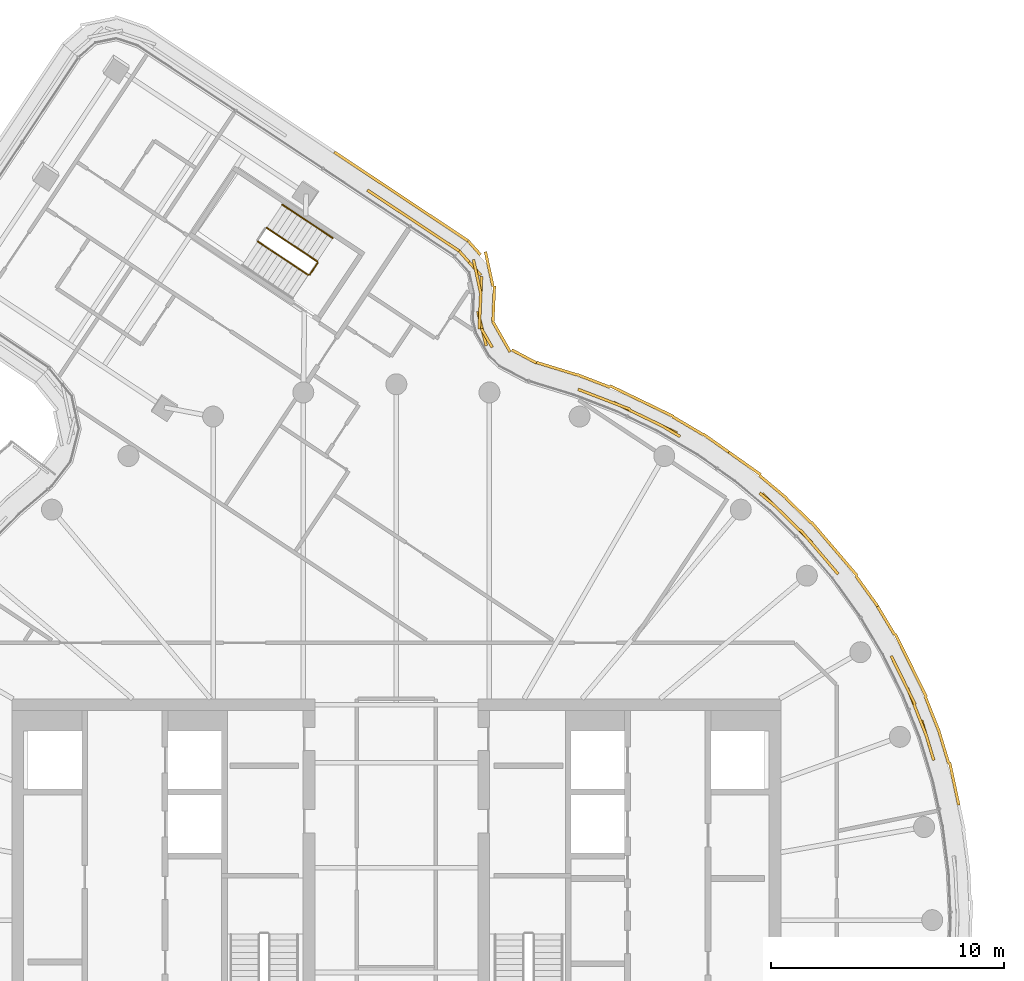
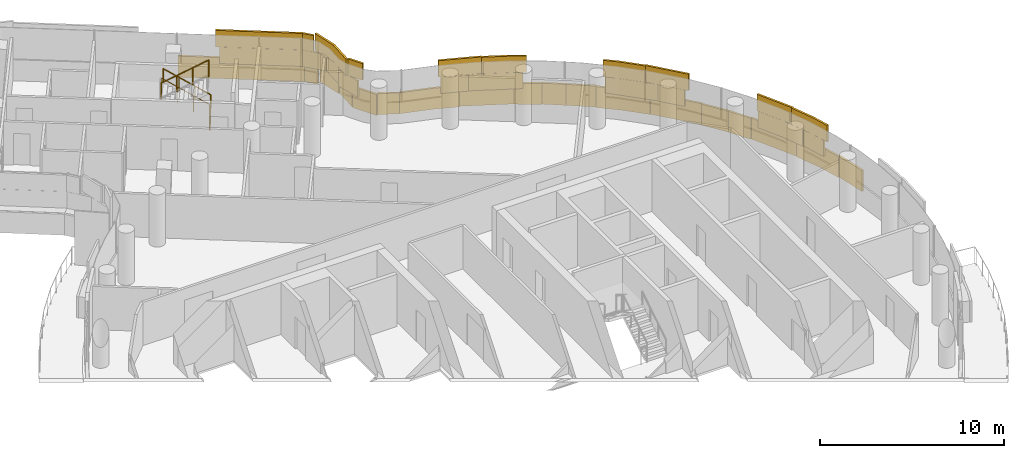
# One storey, part 26 of 27: 5 coverings, 4 railings.
"""IFC4 building model written with IfcOpenShell, lengths in metres."""

from ifc_helpers import new_model, si_unit, direction, frame, origin, origin_2d, place, context, subcontext, project, spatial, rectangle, circle, extrude, material, layer, layer_set, type_object, element, save


model = new_model("IFC4")

# Units and contexts
model_context = context("Model", 3, precision=1e-05, world=origin(), true_north=direction((0.0, 1.0)))
body_context = subcontext(model_context, "Body", "Model", "MODEL_VIEW")
ifc_project = project(units=[si_unit("LENGTHUNIT", "METRE"), si_unit("AREAUNIT", "SQUARE_METRE"), si_unit("VOLUMEUNIT", "CUBIC_METRE"), si_unit("PLANEANGLEUNIT", "RADIAN"), si_unit("MASSUNIT", "GRAM", prefix="KILO")], contexts=[model_context])

# Site, building, storey
site_placement = place(None, origin())
site = spatial("IfcSite", under=ifc_project, at=site_placement, CompositionType="ELEMENT")
building_placement = place(site_placement, origin())
building = spatial("IfcBuilding", under=site, at=building_placement, Name="Tamarind Cross Interchange Tower", CompositionType="ELEMENT")
storey_placement = place(building_placement, frame((0.0, 0.0, 237.89990234375)))
storey = spatial("IfcBuildingStorey", under=building, at=storey_placement, Name="L60", CompositionType="ELEMENT", Elevation=237.89990234375)

# Railings
ifc_material_1 = material(Name="Stair guard")
railing_type_1 = type_object("IfcRailingType", Name="Stair guard", PredefinedType="GUARDRAIL", material=ifc_material_1)
railing_1_placement = place(storey_placement, frame((-3.395751953125, 28.275634765625, 0.163818359375)))
element("IfcRailing", 1, at=railing_1_placement, inside=storey, type_object=railing_type_1, Name="L60 ST4 stair guard 1", PredefinedType="GUARDRAIL", context=body_context, shape_type="SweptSolid", body=[
    extrude(circle(Radius=0.02392578125, at=origin_2d()), frame((0.0, 0.0, 1.076171875), z_axis=(-0.705101885414, 0.468107541151, 0.532641212359), x_axis=(-0.553095571714, -0.833117811927, 0.0)), (0.0, 0.0, 1.0), 3.072021484375),
    extrude(circle(Radius=0.02099609375, at=origin_2d()), origin(), (0.0, 0.0, 1.0), 1.052001953125),
    extrude(circle(Radius=0.02099609375, at=origin_2d()), frame((-0.721923828125, 0.479248046875, 0.54541015625)), (0.0, 0.0, 1.0), 1.052001953125),
    extrude(circle(Radius=0.02099609375, at=origin_2d()), frame((-1.444091796875, 0.958740234375, 1.0908203125)), (0.0, 0.0, 1.0), 1.052001953125),
    extrude(circle(Radius=0.02099609375, at=origin_2d()), frame((-2.166015625, 1.43798828125, 1.63623046875)), (0.0, 0.0, 1.0), 1.052001953125),
])
railing_2_placement = place(storey_placement, frame((-5.948974609375, 29.13037109375, 1.963623046875)))
element("IfcRailing", 2, at=railing_2_placement, inside=storey, type_object=railing_type_1, Name="L60 ST4 stair guard 3", PredefinedType="GUARDRAIL", context=body_context, shape_type="SweptSolid", body=[
    extrude(circle(Radius=0.02392578125, at=origin_2d()), frame((0.0, 0.0, 1.076171875), z_axis=(0.705111997759, -0.468061497442, 0.532668288176), x_axis=(0.553052303896, 0.833146535224, 0.0)), (0.0, 0.0, 1.0), 3.072265625),
    extrude(circle(Radius=0.02099609375, at=origin_2d()), origin(), (0.0, 0.0, 1.0), 1.052001953125),
    extrude(circle(Radius=0.02099609375, at=origin_2d()), frame((0.72216796875, -0.479248046875, 0.54541015625)), (0.0, 0.0, 1.0), 1.052001953125),
    extrude(circle(Radius=0.02099609375, at=origin_2d()), frame((1.444091796875, -0.958740234375, 1.091064453125)), (0.0, 0.0, 1.0), 1.052001953125),
    extrude(circle(Radius=0.02099609375, at=origin_2d()), frame((2.166259765625, -1.43798828125, 1.636474609375)), (0.0, 0.0, 1.0), 1.052001953125),
])
railing_3_placement = place(storey_placement, frame((-3.381591796875, 28.206298828125, 0.0)))
element("IfcRailing", 3, at=railing_3_placement, inside=storey, type_object=railing_type_1, Name="L60 ST4 stair guard 4", PredefinedType="GUARDRAIL", context=body_context, shape_type="SweptSolid", body=[
    extrude(circle(Radius=0.02392578125, at=origin_2d()), frame((0.0, 0.0, 1.076171875), z_axis=(-0.553197399168, -0.8330502011, 0.0), x_axis=(0.8330502011, -0.553197399168, 0.0)), (0.0, 0.0, 1.0), 0.60009765625),
    extrude(circle(Radius=0.02099609375, at=origin_2d()), origin(), (0.0, 0.0, 1.0), 1.052001953125),
    extrude(circle(Radius=0.02099609375, at=origin_2d()), frame((-0.33203125, -0.5, 0.0)), (0.0, 0.0, 1.0), 1.052001953125),
])
ifc_material_2 = material(Name="Stair handrail")
railing_type_2 = type_object("IfcRailingType", Name="Stair handrail", PredefinedType="HANDRAIL", material=ifc_material_2)
railing_4_placement = place(storey_placement, frame((-2.73193359375, 29.275146484375, 0.163818359375)))
element("IfcRailing", 4, at=railing_4_placement, inside=storey, type_object=railing_type_2, Name="L60 ST4 stair handrail 1", PredefinedType="HANDRAIL", context=body_context, shape_type="SweptSolid", body=[
    extrude(circle(Radius=0.02392578125, at=origin_2d()), frame((0.0, 0.0, 0.8759765625), z_axis=(-0.705075652866, 0.468169597727, 0.532621396022), x_axis=(-0.553160744141, -0.833074541168, 0.0)), (0.0, 0.0, 1.0), 3.072021484375),
    extrude(circle(Radius=0.02099609375, at=origin_2d()), origin(), (0.0, 0.0, 1.0), 0.851806640625),
    extrude(circle(Radius=0.02099609375, at=origin_2d()), frame((-0.721923828125, 0.4794921875, 0.54541015625)), (0.0, 0.0, 1.0), 0.851806640625),
    extrude(circle(Radius=0.02099609375, at=origin_2d()), frame((-1.444091796875, 0.958740234375, 1.0908203125)), (0.0, 0.0, 1.0), 0.851806640625),
    extrude(circle(Radius=0.02099609375, at=origin_2d()), frame((-2.166015625, 1.438232421875, 1.63623046875)), (0.0, 0.0, 1.0), 0.851806640625),
])

# Coverings
ifc_material_3 = material(Name="Terracotta", Category="masonry")
ifc_layer = layer(ifc_material_3, 0.1201171875)
ifc_layer_set = layer_set([ifc_layer], Name="Terracotta")
covering_type = type_object("IfcCoveringType", Name="Terracotta baguette screen unit", PredefinedType="MOLDING", material=ifc_layer_set)
covering_1_placement = place(storey_placement, origin())
element("IfcCovering", 5, at=covering_1_placement, inside=storey, type_object=covering_type, Name="SCR-L60-02-07", PredefinedType="MOLDING", context=body_context, shape_type="SweptSolid", body=[
    extrude(rectangle(XDim=1.52001953125, YDim=0.1201171875, at=origin_2d()), frame((22.767578125, 7.851318359375, 1.404296875), z_axis=(0.0, 0.0, 1.0), x_axis=(-0.289458243079, 0.957190642199, 0.0)), (0.0, 0.0, 1.0), 1.092041015625),
    extrude(rectangle(XDim=1.52001953125, YDim=0.1201171875, at=origin_2d()), frame((22.2216796875, 9.248291015625, 1.404296875), z_axis=(0.0, 0.0, 1.0), x_axis=(-0.367513773146, 0.930018078613, 0.0)), (0.0, 0.0, 1.0), 1.092041015625),
    extrude(rectangle(XDim=1.52001953125, YDim=0.1201171875, at=origin_2d()), frame((21.599365234375, 10.61181640625, 1.404296875), z_axis=(0.0, 0.0, 1.0), x_axis=(-0.443058811505, 0.896492548518, 0.0)), (0.0, 0.0, 1.0), 1.092041015625),
    extrude(rectangle(XDim=1.04248046875, YDim=0.1201171875, at=origin_2d()), frame((22.9169921875, 7.357421875, 2.50390625), z_axis=(0.0, 0.0, 1.0), x_axis=(-0.289458243079, 0.957190642199, 0.0)), (0.0, 0.0, 1.0), 1.092041015625),
    extrude(rectangle(XDim=1.52001953125, YDim=0.1201171875, at=origin_2d()), frame((22.497314453125, 8.55078125, 2.50390625), z_axis=(0.0, 0.0, 1.0), x_axis=(-0.367513773146, 0.930018078613, 0.0)), (0.0, 0.0, 1.0), 1.092041015625),
    extrude(rectangle(XDim=1.52001953125, YDim=0.1201171875, at=origin_2d()), frame((21.931640625, 9.939453125, 2.50390625), z_axis=(0.0, 0.0, 1.0), x_axis=(-0.443058811505, 0.896492548518, 0.0)), (0.0, 0.0, 1.0), 1.092041015625),
    extrude(rectangle(XDim=0.82080078125, YDim=0.1201171875, at=origin_2d()), frame((21.419921875, 10.975341796875, 2.50390625), z_axis=(0.0, 0.0, 1.0), x_axis=(-0.443058811505, 0.896492548518, 0.0)), (0.0, 0.0, 1.0), 1.092041015625),
    extrude(rectangle(XDim=0.364990234375, YDim=0.1201171875, at=origin_2d()), frame((24.101318359375, 5.12158203125, 0.004150390625), z_axis=(0.0, 0.0, 1.0), x_axis=(-0.209425419705, 0.977824623121, 0.0)), (0.0, 0.0, 1.0), 1.39208984375),
    extrude(rectangle(XDim=1.52001953125, YDim=0.1201171875, at=origin_2d()), frame((23.908203125, 6.023681640625, 0.004150390625), z_axis=(0.0, 0.0, 1.0), x_axis=(-0.209425419705, 0.977824623121, 0.0)), (0.0, 0.0, 1.0), 1.39208984375),
    extrude(rectangle(XDim=1.52001953125, YDim=0.1201171875, at=origin_2d()), frame((23.48486328125, 7.46240234375, 0.004150390625), z_axis=(0.0, 0.0, 1.0), x_axis=(-0.289458243079, 0.957190642199, 0.0)), (0.0, 0.0, 1.0), 1.39208984375),
    extrude(rectangle(XDim=1.52001953125, YDim=0.1201171875, at=origin_2d()), frame((22.986083984375, 8.875732421875, 0.004150390625), z_axis=(0.0, 0.0, 1.0), x_axis=(-0.367513773146, 0.930018078613, 0.0)), (0.0, 0.0, 1.0), 1.39208984375),
    extrude(rectangle(XDim=1.52001953125, YDim=0.1201171875, at=origin_2d()), frame((22.4130859375, 10.260986328125, 0.004150390625), z_axis=(0.0, 0.0, 1.0), x_axis=(-0.443058811505, 0.896492548518, 0.0)), (0.0, 0.0, 1.0), 1.39208984375),
    extrude(rectangle(XDim=1.52001953125, YDim=0.1201171875, at=origin_2d()), frame((21.74853515625, 11.605712890625, 0.004150390625), z_axis=(0.0, 0.0, 1.0), x_axis=(-0.443058811505, 0.896492548518, 0.0)), (0.0, 0.0, 1.0), 1.39208984375),
    extrude(rectangle(XDim=1.4140625, YDim=0.1201171875, at=origin_2d()), frame((21.020751953125, 12.85546875, 0.004150390625), z_axis=(0.0, 0.0, 1.0), x_axis=(-0.515577308909, 0.856843065292, 0.0)), (0.0, 0.0, 1.0), 1.39208984375),
])
covering_2_placement = place(storey_placement, origin())
element("IfcCovering", 6, at=covering_2_placement, inside=storey, type_object=covering_type, Name="SCR-L60-02-08", PredefinedType="MOLDING", context=body_context, shape_type="SweptSolid", body=[
    extrude(rectangle(XDim=1.52001953125, YDim=0.1201171875, at=origin_2d()), frame((18.3154296875, 15.610595703125, 1.404296875), z_axis=(0.0, 0.0, 1.0), x_axis=(-0.64957723968, 0.760295606781, 0.0)), (0.0, 0.0, 1.0), 1.092041015625),
    extrude(rectangle(XDim=1.52001953125, YDim=0.1201171875, at=origin_2d()), frame((17.312255859375, 16.724365234375, 1.404296875), z_axis=(0.0, 0.0, 1.0), x_axis=(-0.710143317658, 0.704057148523, 0.0)), (0.0, 0.0, 1.0), 1.092041015625),
    extrude(rectangle(XDim=1.52001953125, YDim=0.1201171875, at=origin_2d()), frame((16.246826171875, 17.780517578125, 1.404296875), z_axis=(0.0, 0.0, 1.0), x_axis=(-0.710143317658, 0.704057148523, 0.0)), (0.0, 0.0, 1.0), 1.092041015625),
    extrude(rectangle(XDim=0.9990234375, YDim=0.1201171875, at=origin_2d()), frame((18.63671875, 15.234619140625, 2.50390625), z_axis=(0.0, 0.0, 1.0), x_axis=(-0.64957723968, 0.760295606781, 0.0)), (0.0, 0.0, 1.0), 1.092041015625),
    extrude(rectangle(XDim=1.52001953125, YDim=0.1201171875, at=origin_2d()), frame((17.828125, 16.180908203125, 2.50390625), z_axis=(0.0, 0.0, 1.0), x_axis=(-0.64957723968, 0.760295606781, 0.0)), (0.0, 0.0, 1.0), 1.092041015625),
    extrude(rectangle(XDim=1.52001953125, YDim=0.1201171875, at=origin_2d()), frame((16.779541015625, 17.25244140625, 2.50390625), z_axis=(0.0, 0.0, 1.0), x_axis=(-0.710143317658, 0.704057148523, 0.0)), (0.0, 0.0, 1.0), 1.092041015625),
    extrude(rectangle(XDim=0.863525390625, YDim=0.1201171875, at=origin_2d()), frame((15.9208984375, 18.0556640625, 2.50390625), z_axis=(0.0, 0.0, 1.0), x_axis=(-0.765858396687, 0.643009266048, 0.0)), (0.0, 0.0, 1.0), 1.092041015625),
    extrude(rectangle(XDim=0.10595703125, YDim=0.1201171875, at=origin_2d()), frame((20.62890625, 13.5068359375, 0.004150390625), z_axis=(0.0, 0.0, 1.0), x_axis=(-0.515577308909, 0.856843065292, 0.0)), (0.0, 0.0, 1.0), 1.39208984375),
    extrude(rectangle(XDim=1.52001953125, YDim=0.1201171875, at=origin_2d()), frame((20.1708984375, 14.15380859375, 0.004150390625), z_axis=(0.0, 0.0, 1.0), x_axis=(-0.584573890505, 0.811340475102, 0.0)), (0.0, 0.0, 1.0), 1.39208984375),
    extrude(rectangle(XDim=1.52001953125, YDim=0.1201171875, at=origin_2d()), frame((19.28271484375, 15.362060546875, 0.004150390625), z_axis=(0.0, 0.0, 1.0), x_axis=(-0.64957723968, 0.760295606781, 0.0)), (0.0, 0.0, 1.0), 1.39208984375),
    extrude(rectangle(XDim=1.52001953125, YDim=0.1201171875, at=origin_2d()), frame((18.308349609375, 16.50244140625, 0.004150390625), z_axis=(0.0, 0.0, 1.0), x_axis=(-0.64957723968, 0.760295606781, 0.0)), (0.0, 0.0, 1.0), 1.39208984375),
    extrude(rectangle(XDim=1.52001953125, YDim=0.1201171875, at=origin_2d()), frame((17.265380859375, 17.5791015625, 0.004150390625), z_axis=(0.0, 0.0, 1.0), x_axis=(-0.710143317658, 0.704057148523, 0.0)), (0.0, 0.0, 1.0), 1.39208984375),
    extrude(rectangle(XDim=1.52001953125, YDim=0.1201171875, at=origin_2d()), frame((16.166748046875, 18.598876953125, 0.004150390625), z_axis=(0.0, 0.0, 1.0), x_axis=(-0.765858396687, 0.643009266048, 0.0)), (0.0, 0.0, 1.0), 1.39208984375),
    extrude(rectangle(XDim=1.52001953125, YDim=0.1201171875, at=origin_2d()), frame((15.01513671875, 19.5595703125, 0.004150390625), z_axis=(0.0, 0.0, 1.0), x_axis=(-0.816341886298, 0.577568978284, 0.0)), (0.0, 0.0, 1.0), 1.39208984375),
    extrude(rectangle(XDim=0.17236328125, YDim=0.1201171875, at=origin_2d()), frame((14.340576171875, 20.03662109375, 0.004150390625), z_axis=(0.0, 0.0, 1.0), x_axis=(-0.816341886298, 0.577568978284, 0.0)), (0.0, 0.0, 1.0), 1.39208984375),
])
covering_3_placement = place(storey_placement, origin())
element("IfcCovering", 7, at=covering_3_placement, inside=storey, type_object=covering_type, Name="SCR-L60-02-09", PredefinedType="MOLDING", context=body_context, shape_type="SweptSolid", body=[
    extrude(rectangle(XDim=1.52001953125, YDim=0.1201171875, at=origin_2d()), frame((11.3603515625, 21.238037109375, 1.404296875), z_axis=(0.0, 0.0, 1.0), x_axis=(-0.900272776334, 0.435326231914, 0.0)), (0.0, 0.0, 1.0), 1.092041015625),
    extrude(rectangle(XDim=1.52001953125, YDim=0.1201171875, at=origin_2d()), frame((10.010009765625, 21.890869140625, 1.404296875), z_axis=(0.0, 0.0, 1.0), x_axis=(-0.900272776334, 0.435326231914, 0.0)), (0.0, 0.0, 1.0), 1.092041015625),
    extrude(rectangle(XDim=1.52001953125, YDim=0.1201171875, at=origin_2d()), frame((8.6259765625, 22.46630859375, 1.404296875), z_axis=(0.0, 0.0, 1.0), x_axis=(-0.933146843667, 0.359495435512, 0.0)), (0.0, 0.0, 1.0), 1.092041015625),
    extrude(rectangle(XDim=0.95654296875, YDim=0.1201171875, at=origin_2d()), frame((11.7685546875, 20.99853515625, 2.50390625), z_axis=(0.0, 0.0, 1.0), x_axis=(-0.861248933065, 0.508183308752, 0.0)), (0.0, 0.0, 1.0), 1.092041015625),
    extrude(rectangle(XDim=1.52001953125, YDim=0.1201171875, at=origin_2d()), frame((10.685302734375, 21.564453125, 2.50390625), z_axis=(0.0, 0.0, 1.0), x_axis=(-0.900272776334, 0.435326231914, 0.0)), (0.0, 0.0, 1.0), 1.092041015625),
    extrude(rectangle(XDim=1.52001953125, YDim=0.1201171875, at=origin_2d()), frame((9.325927734375, 22.19677734375, 2.50390625), z_axis=(0.0, 0.0, 1.0), x_axis=(-0.933146843667, 0.359495435512, 0.0)), (0.0, 0.0, 1.0), 1.092041015625),
    extrude(rectangle(XDim=0.893310546875, YDim=0.1201171875, at=origin_2d()), frame((8.2138671875, 22.625244140625, 2.50390625), z_axis=(0.0, 0.0, 1.0), x_axis=(-0.933146843667, 0.359495435512, 0.0)), (0.0, 0.0, 1.0), 1.092041015625),
    extrude(rectangle(XDim=1.34765625, YDim=0.1201171875, at=origin_2d()), frame((13.72021484375, 20.4755859375, 0.004150390625), z_axis=(0.0, 0.0, 1.0), x_axis=(-0.816341886298, 0.577568978284, 0.0)), (0.0, 0.0, 1.0), 1.39208984375),
    extrude(rectangle(XDim=1.52001953125, YDim=0.1201171875, at=origin_2d()), frame((12.520263671875, 21.221435546875, 0.004150390625), z_axis=(0.0, 0.0, 1.0), x_axis=(-0.861248933065, 0.508183308752, 0.0)), (0.0, 0.0, 1.0), 1.39208984375),
    extrude(rectangle(XDim=1.52001953125, YDim=0.1201171875, at=origin_2d()), frame((11.20947265625, 21.948486328125, 0.004150390625), z_axis=(0.0, 0.0, 1.0), x_axis=(-0.900272776334, 0.435326231914, 0.0)), (0.0, 0.0, 1.0), 1.39208984375),
    extrude(rectangle(XDim=1.52001953125, YDim=0.1201171875, at=origin_2d()), frame((9.859130859375, 22.6015625, 0.004150390625), z_axis=(0.0, 0.0, 1.0), x_axis=(-0.900272776334, 0.435326231914, 0.0)), (0.0, 0.0, 1.0), 1.39208984375),
    extrude(rectangle(XDim=1.52001953125, YDim=0.1201171875, at=origin_2d()), frame((8.461181640625, 23.14501953125, 0.004150390625), z_axis=(0.0, 0.0, 1.0), x_axis=(-0.933146843667, 0.359495435512, 0.0)), (0.0, 0.0, 1.0), 1.39208984375),
    extrude(rectangle(XDim=1.52001953125, YDim=0.1201171875, at=origin_2d()), frame((7.040771484375, 23.6240234375, 0.004150390625), z_axis=(0.0, 0.0, 1.0), x_axis=(-0.956010293883, 0.293333117786, 0.0)), (0.0, 0.0, 1.0), 1.39208984375),
    extrude(rectangle(XDim=0.3330078125, YDim=0.1201171875, at=origin_2d()), frame((6.174072265625, 23.889892578125, 0.004150390625), z_axis=(0.0, 0.0, 1.0), x_axis=(-0.956010293883, 0.293333117786, 0.0)), (0.0, 0.0, 1.0), 1.39208984375),
])
covering_4_placement = place(storey_placement, origin())
element("IfcCovering", 8, at=covering_4_placement, inside=storey, type_object=covering_type, Name="SCR-L60-02-10", PredefinedType="MOLDING", context=body_context, shape_type="SweptSolid", body=[
    extrude(rectangle(XDim=1.52001953125, YDim=0.1201171875, at=origin_2d()), frame((3.67919921875, 25.388916015625, 1.404296875), z_axis=(0.0, 0.0, 1.0), x_axis=(-0.23625193558, 0.971691835375, 0.0)), (0.0, 0.0, 1.0), 1.092041015625),
    extrude(rectangle(XDim=1.52001953125, YDim=0.1201171875, at=origin_2d()), frame((3.62255859375, 26.87548828125, 1.404296875), z_axis=(0.0, 0.0, 1.0), x_axis=(0.042881528628, 0.999080164202, 0.0)), (0.0, 0.0, 1.0), 1.092041015625),
    extrude(rectangle(XDim=1.39208984375, YDim=0.1201171875, at=origin_2d()), frame((3.16064453125, 28.201171875, 1.404296875), z_axis=(0.0, 0.0, 1.0), x_axis=(-0.665230080306, 0.74663842672, 0.0)), (0.0, 0.0, 1.0), 1.092041015625),
    extrude(rectangle(XDim=0.9267578125, YDim=0.1201171875, at=origin_2d()), frame((3.884521484375, 24.982177734375, 2.50390625), z_axis=(0.0, 0.0, 1.0), x_axis=(-0.496800496817, 0.867864774238, 0.0)), (0.0, 0.0, 1.0), 1.092041015625),
    extrude(rectangle(XDim=1.52001953125, YDim=0.1201171875, at=origin_2d()), frame((3.59033203125, 26.126220703125, 2.50390625), z_axis=(0.0, 0.0, 1.0), x_axis=(0.042881528628, 0.999080164202, 0.0)), (0.0, 0.0, 1.0), 1.092041015625),
    extrude(rectangle(XDim=1.52001953125, YDim=0.1201171875, at=origin_2d()), frame((3.470703125, 27.609130859375, 2.50390625), z_axis=(0.0, 0.0, 1.0), x_axis=(-0.212374439081, 0.977188363431, 0.0)), (0.0, 0.0, 1.0), 1.092041015625),
    extrude(rectangle(XDim=0.64208984375, YDim=0.1201171875, at=origin_2d()), frame((2.9111328125, 28.481201171875, 2.50390625), z_axis=(0.0, 0.0, 1.0), x_axis=(-0.665230080306, 0.74663842672, 0.0)), (0.0, 0.0, 1.0), 1.092041015625),
    extrude(rectangle(XDim=1.18701171875, YDim=0.1201171875, at=origin_2d()), frame((5.482421875, 24.19677734375, 0.004150390625), z_axis=(0.0, 0.0, 1.0), x_axis=(-0.883232402766, 0.468935520839, 0.0)), (0.0, 0.0, 1.0), 1.39208984375),
    extrude(rectangle(XDim=1.52001953125, YDim=0.1201171875, at=origin_2d()), frame((4.506591796875, 25.05078125, 0.004150390625), z_axis=(0.0, 0.0, 1.0), x_axis=(-0.496800496817, 0.867864774238, 0.0)), (0.0, 0.0, 1.0), 1.39208984375),
    extrude(rectangle(XDim=1.52001953125, YDim=0.1201171875, at=origin_2d()), frame((4.1796875, 26.46875, 0.004150390625), z_axis=(0.0, 0.0, 1.0), x_axis=(0.042881528628, 0.999080164202, 0.0)), (0.0, 0.0, 1.0), 1.39208984375),
    extrude(rectangle(XDim=1.52001953125, YDim=0.1201171875, at=origin_2d()), frame((3.985107421875, 27.945068359375, 0.004150390625), z_axis=(0.0, 0.0, 1.0), x_axis=(-0.212374439081, 0.977188363431, 0.0)), (0.0, 0.0, 1.0), 1.39208984375),
    extrude(rectangle(XDim=0.798583984375, YDim=0.1201171875, at=origin_2d()), frame((3.345703125, 28.856201171875, 0.004150390625), z_axis=(0.0, 0.0, 1.0), x_axis=(-0.665230080306, 0.74663842672, 0.0)), (0.0, 0.0, 1.0), 1.39208984375),
])
covering_5_placement = place(storey_placement, origin())
element("IfcCovering", 9, at=covering_5_placement, inside=storey, type_object=covering_type, Name="SCR-L60-03-00", PredefinedType="MOLDING", context=body_context, shape_type="SweptSolid", body=[
    extrude(rectangle(XDim=1.510009765625, YDim=0.1201171875, at=origin_2d()), frame((2.076171875, 29.132080078125, 1.404296875), z_axis=(0.0, 0.0, 1.0), x_axis=(-0.833106637229, 0.55311240359, 0.0)), (0.0, 0.0, 1.0), 1.092041015625),
    extrude(rectangle(XDim=1.52001953125, YDim=0.1201171875, at=origin_2d()), frame((0.826416015625, 29.961669921875, 1.404296875), z_axis=(0.0, 0.0, 1.0), x_axis=(-0.833106637229, 0.55311240359, 0.0)), (0.0, 0.0, 1.0), 1.092041015625),
    extrude(rectangle(XDim=1.52001953125, YDim=0.1201171875, at=origin_2d()), frame((-0.42333984375, 30.791259765625, 1.404296875), z_axis=(0.0, 0.0, 1.0), x_axis=(-0.833106637229, 0.55311240359, 0.0)), (0.0, 0.0, 1.0), 1.092041015625),
    extrude(rectangle(XDim=0.760009765625, YDim=0.1201171875, at=origin_2d()), frame((2.388427734375, 28.924560546875, 2.50390625), z_axis=(0.0, 0.0, 1.0), x_axis=(-0.833106637229, 0.55311240359, 0.0)), (0.0, 0.0, 1.0), 1.092041015625),
    extrude(rectangle(XDim=1.52001953125, YDim=0.1201171875, at=origin_2d()), frame((1.451171875, 29.546875, 2.50390625), z_axis=(0.0, 0.0, 1.0), x_axis=(-0.833106637229, 0.55311240359, 0.0)), (0.0, 0.0, 1.0), 1.092041015625),
    extrude(rectangle(XDim=1.52001953125, YDim=0.1201171875, at=origin_2d()), frame((0.20166015625, 30.37646484375, 2.50390625), z_axis=(0.0, 0.0, 1.0), x_axis=(-0.833106637229, 0.55311240359, 0.0)), (0.0, 0.0, 1.0), 1.092041015625),
    extrude(rectangle(XDim=0.992919921875, YDim=0.1201171875, at=origin_2d()), frame((-0.832763671875, 31.063232421875, 2.50390625), z_axis=(0.0, 0.0, 1.0), x_axis=(-0.833106637229, 0.55311240359, 0.0)), (0.0, 0.0, 1.0), 1.092041015625),
    extrude(rectangle(XDim=1.510009765625, YDim=0.1201171875, at=origin_2d()), frame((2.451171875, 29.572021484375, 0.004150390625), z_axis=(0.0, 0.0, 1.0), x_axis=(-0.833106637229, 0.55311240359, 0.0)), (0.0, 0.0, 1.0), 1.39208984375),
    extrude(rectangle(XDim=1.52001953125, YDim=0.1201171875, at=origin_2d()), frame((1.20556640625, 30.39892578125, 0.004150390625), z_axis=(0.0, 0.0, 1.0), x_axis=(-0.833106637229, 0.55311240359, 0.0)), (0.0, 0.0, 1.0), 1.39208984375),
    extrude(rectangle(XDim=1.52001953125, YDim=0.1201171875, at=origin_2d()), frame((-0.0439453125, 31.228515625, 0.004150390625), z_axis=(0.0, 0.0, 1.0), x_axis=(-0.833106637229, 0.55311240359, 0.0)), (0.0, 0.0, 1.0), 1.39208984375),
    extrude(rectangle(XDim=1.52001953125, YDim=0.1201171875, at=origin_2d()), frame((-1.293701171875, 32.05810546875, 0.004150390625), z_axis=(0.0, 0.0, 1.0), x_axis=(-0.833106637229, 0.55311240359, 0.0)), (0.0, 0.0, 1.0), 1.39208984375),
    extrude(rectangle(XDim=0.9052734375, YDim=0.1201171875, at=origin_2d()), frame((-2.287109375, 32.7177734375, 0.004150390625), z_axis=(0.0, 0.0, 1.0), x_axis=(-0.833106637229, 0.55311240359, 0.0)), (0.0, 0.0, 1.0), 1.39208984375),
])

save(model, "model.ifc")
